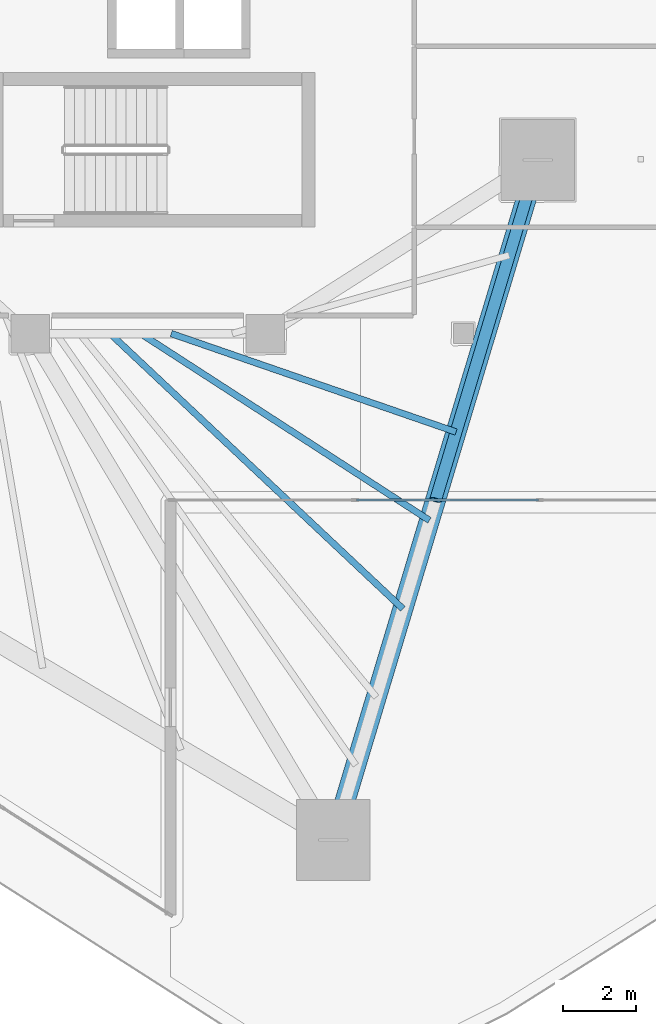
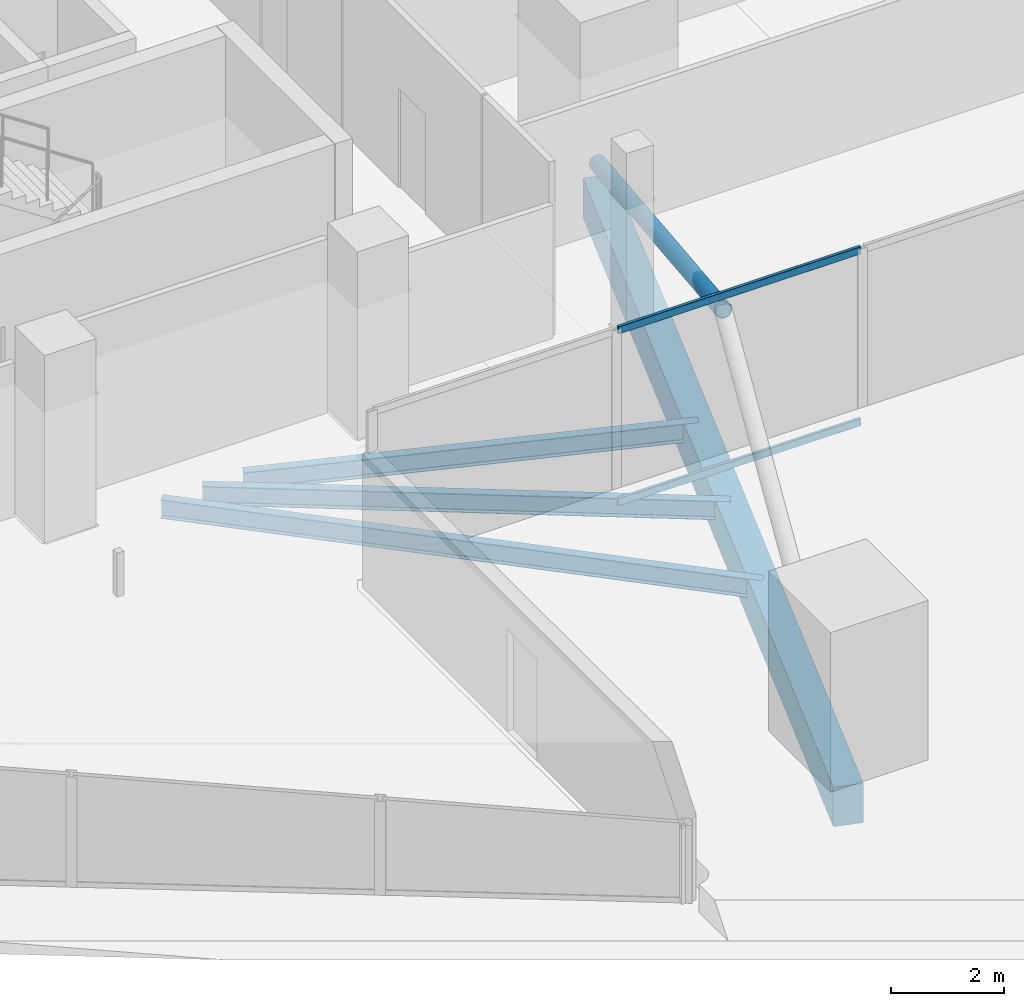
# One storey, part 10 of 39: 4 beams, 3 members, 1 element without a shape of its own.
"""IFC4 building model written with IfcOpenShell, lengths in metres."""

from ifc_helpers import new_model, si_unit, direction, frame, origin, origin_2d, place, context, subcontext, project, spatial, rectangle, hollow_rectangle, hollow_circle, i_section, extrude, material, layer, layer_set, material_profile, profile_set, type_object, element, aggregate, save


model = new_model("IFC4")

# Units and contexts
model_context = context("Model", 3, precision=1e-05, world=origin(), true_north=direction((0.0, 1.0)))
body_context = subcontext(model_context, "Body", "Model", "MODEL_VIEW")
ifc_project = project(units=[si_unit("LENGTHUNIT", "METRE"), si_unit("AREAUNIT", "SQUARE_METRE"), si_unit("VOLUMEUNIT", "CUBIC_METRE"), si_unit("PLANEANGLEUNIT", "RADIAN"), si_unit("MASSUNIT", "GRAM", prefix="KILO")], contexts=[model_context])

# Site, building, storey
site_placement = place(None, origin())
site = spatial("IfcSite", under=ifc_project, at=site_placement, CompositionType="ELEMENT")
building_placement = place(site_placement, origin())
building = spatial("IfcBuilding", under=site, at=building_placement, Name="Qorvath Tower", CompositionType="ELEMENT")
storey_placement = place(building_placement, frame((0.0, 0.0, 154.35009765625)))
storey = spatial("IfcBuildingStorey", under=building, at=storey_placement, Name="L35", CompositionType="ELEMENT", Elevation=154.35009765625)

# Beams
ifc_material_1 = material(Name="Steel ASTM A992 Grade 50", Category="steel")
ifc_material_profile_1 = material_profile(ifc_material_1, i_section(OverallWidth=0.177978515625, OverallDepth=0.406005859375, WebThickness=0.0078125, FlangeThickness=0.0126953125, FilletRadius=0.010986328125, at=origin_2d()), Name="W16x40")
ifc_profile_set_1 = profile_set([ifc_material_profile_1], Name="Steel ASTM A992 Grade 50")
beam_type_1 = type_object("IfcBeamType", Name="BM-FJ3", PredefinedType="JOIST", material=ifc_profile_set_1)
beam_1_placement = place(storey_placement, frame((-19.760009765625, -11.449951171875, -0.472900390625), z_axis=(0.945168345309, -0.326583525342, 0.0), x_axis=(0.326583525342, 0.945168345309, 0.0)))
element("IfcBeam", 1, at=beam_1_placement, inside=storey, type_object=beam_type_1, Name="Composite Floor Joist SE3 L35", PredefinedType="JOIST", context=body_context, shape_type="SweptSolid", body=[
    extrude(i_section(OverallWidth=0.177978515625, OverallDepth=0.406005859375, WebThickness=0.0078125, FlangeThickness=0.0126953125, FilletRadius=0.010986328125, at=origin_2d()), origin(), (0.0, 0.0, 1.0), 8.21044921875),
])
beam_2_placement = place(storey_placement, frame((-20.592041015625, -11.449951171875, -0.472900390625), z_axis=(0.839630966809, -0.543157288062, 0.0), x_axis=(0.543157288062, 0.839630966809, 0.0)))
element("IfcBeam", 2, at=beam_2_placement, inside=storey, type_object=beam_type_1, Name="Composite Floor Joist SE4 L35", PredefinedType="JOIST", context=body_context, shape_type="SweptSolid", body=[
    extrude(i_section(OverallWidth=0.177978515625, OverallDepth=0.406005859375, WebThickness=0.0078125, FlangeThickness=0.0126953125, FilletRadius=0.010986328125, at=origin_2d()), origin(), (0.0, 0.0, 1.0), 9.370361328125),
])
beam_3_placement = place(storey_placement, frame((-21.424072265625, -11.449951171875, -0.472900390625), z_axis=(0.728572459091, -0.684968737866, 0.0), x_axis=(0.684968737866, 0.728572459091, 0.0)))
element("IfcBeam", 3, at=beam_3_placement, inside=storey, type_object=beam_type_1, Name="Composite Floor Joist SE5 L35", PredefinedType="JOIST", context=body_context, shape_type="SweptSolid", body=[
    extrude(i_section(OverallWidth=0.177978515625, OverallDepth=0.406005859375, WebThickness=0.0078125, FlangeThickness=0.0126953125, FilletRadius=0.010986328125, at=origin_2d()), origin(), (0.0, 0.0, 1.0), 10.9462890625),
])
ifc_material_2 = material(Name="Concrete C50/60", Category="concrete")
ifc_material_profile_2 = material_profile(ifc_material_2, rectangle(XDim=0.550048828125, YDim=0.85009765625, at=origin_2d()), Name="RCB 850x550")
ifc_profile_set_2 = profile_set([ifc_material_profile_2], Name="Concrete C50/60")
beam_type_2 = type_object("IfcBeamType", Name="BM-RCB2", PredefinedType="SPANDREL", material=ifc_profile_set_2)
beam_4_placement = place(storey_placement, frame((-15.34423828125, -25.24609375, -0.695068359375), z_axis=(0.288133952099, 0.957590113591, 0.0), x_axis=(-0.957590113591, 0.288133952099, 0.0)))
element("IfcBeam", 4, at=beam_4_placement, inside=storey, type_object=beam_type_2, Name="Perimeter Loggia Frame Beam MC3-MC4 L35", PredefinedType="SPANDREL", context=body_context, shape_type="SweptSolid", body=[
    extrude(rectangle(XDim=0.550048828125, YDim=0.85009765625, at=origin_2d()), origin(), (0.0, 0.0, 1.0), 19.344970703125),
])

# Curtain wall, members
ifc_material_3 = material(Name="Anodised aluminium and triple low-E glass", Category="aluminium")
ifc_layer = layer(ifc_material_3, 0.179931640625)
ifc_layer_set = layer_set([ifc_layer], Name="CW-SYS-5")
curtain_wall_type = type_object("IfcCurtainWallType", Name="CW-SYS-5", PredefinedType="NOTDEFINED", material=ifc_layer_set)
curtain_wall_placement = place(storey_placement, origin())
curtain_wall = element("IfcCurtainWall", 5, at=curtain_wall_placement, inside=storey, type_object=curtain_wall_type, Name="Curtain Wall CW-5 CW-T-L35-2.1", PredefinedType="NOTDEFINED")
ifc_material_4 = material(Name="Anodised aluminium 6063-T6", Category="aluminium")
ifc_material_profile_3 = material_profile(ifc_material_4, hollow_rectangle(XDim=0.06494140625, YDim=0.159912109375, WallThickness=0.00341796875, InnerFilletRadius=0.00341796875, OuterFilletRadius=0.007080078125, at=origin_2d()), Name="CWT 160x65")
ifc_profile_set_3 = profile_set([ifc_material_profile_3], Name="Anodised aluminium 6063-T6")
member_type_1 = type_object("IfcMemberType", Name="CWT-160", PredefinedType="USERDEFINED", material=ifc_profile_set_3)
member_1_placement = place(storey_placement, frame((-14.71435546875, -15.98388671875, 0.032470703125), z_axis=(1.0, 0.0, 0.0), x_axis=(0.0, 1.0, 0.0)))
member_1 = element("IfcMember", 6, at=member_1_placement, type_object=member_type_1, Name="CW-5 transom 2.1", ObjectType="TRANSOM", PredefinedType="USERDEFINED", context=body_context, shape_type="SweptSolid", body=[
    extrude(hollow_rectangle(XDim=0.06494140625, YDim=0.159912109375, WallThickness=0.00341796875, InnerFilletRadius=0.00341796875, OuterFilletRadius=0.007080078125, at=origin_2d()), origin(), (0.0, 0.0, 1.0), 4.956787109375),
])
member_2_placement = place(storey_placement, frame((-14.71435546875, -15.98388671875, 3.747314453125), z_axis=(1.0, 0.0, 0.0), x_axis=(0.0, 1.0, 0.0)))
member_2 = element("IfcMember", 7, at=member_2_placement, type_object=member_type_1, Name="CW-5 transom 2.2", ObjectType="TRANSOM", PredefinedType="USERDEFINED", context=body_context, shape_type="SweptSolid", body=[
    extrude(hollow_rectangle(XDim=0.06494140625, YDim=0.159912109375, WallThickness=0.00341796875, InnerFilletRadius=0.00341796875, OuterFilletRadius=0.007080078125, at=origin_2d()), origin(), (0.0, 0.0, 1.0), 4.956787109375),
])
aggregate(curtain_wall, [member_1, member_2])

# Member
ifc_material_5 = material(Name="Steel ASTM A500 Grade C", Category="steel")
ifc_material_profile_4 = material_profile(ifc_material_5, hollow_circle(Radius=0.161865234375, WallThickness=0.0126953125, at=origin_2d()), Name="CHS 324x12.7")
ifc_profile_set_4 = profile_set([ifc_material_profile_4], Name="Steel ASTM A500 Grade C")
member_type_2 = type_object("IfcMemberType", Name="MEM-ST1", PredefinedType="STRUT", material=ifc_profile_set_4)
member_3_placement = place(storey_placement, frame((-9.770263671875, -6.721435546875, 0.0), z_axis=(-0.271559480245, -0.902533820546, 0.334197772972), x_axis=(0.957592547963, -0.288125861537, 0.0)))
element("IfcMember", 8, at=member_3_placement, inside=storey, type_object=member_type_2, Name="Sky Garden Corner Strut L35-B", PredefinedType="STRUT", context=body_context, shape_type="SweptSolid", body=[
    extrude(hollow_circle(Radius=0.161865234375, WallThickness=0.0126953125, at=origin_2d()), origin(), (0.0, 0.0, 1.0), 10.262451171875),
])

save(model, "model.ifc")
